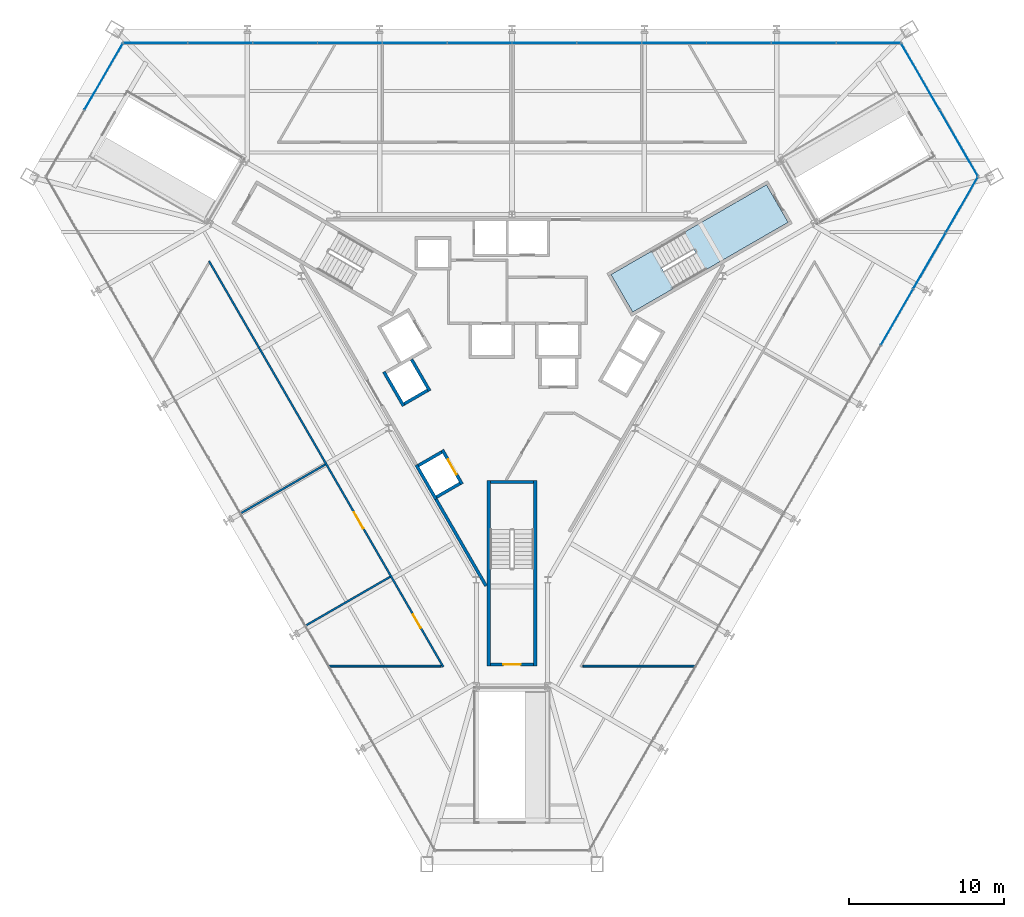
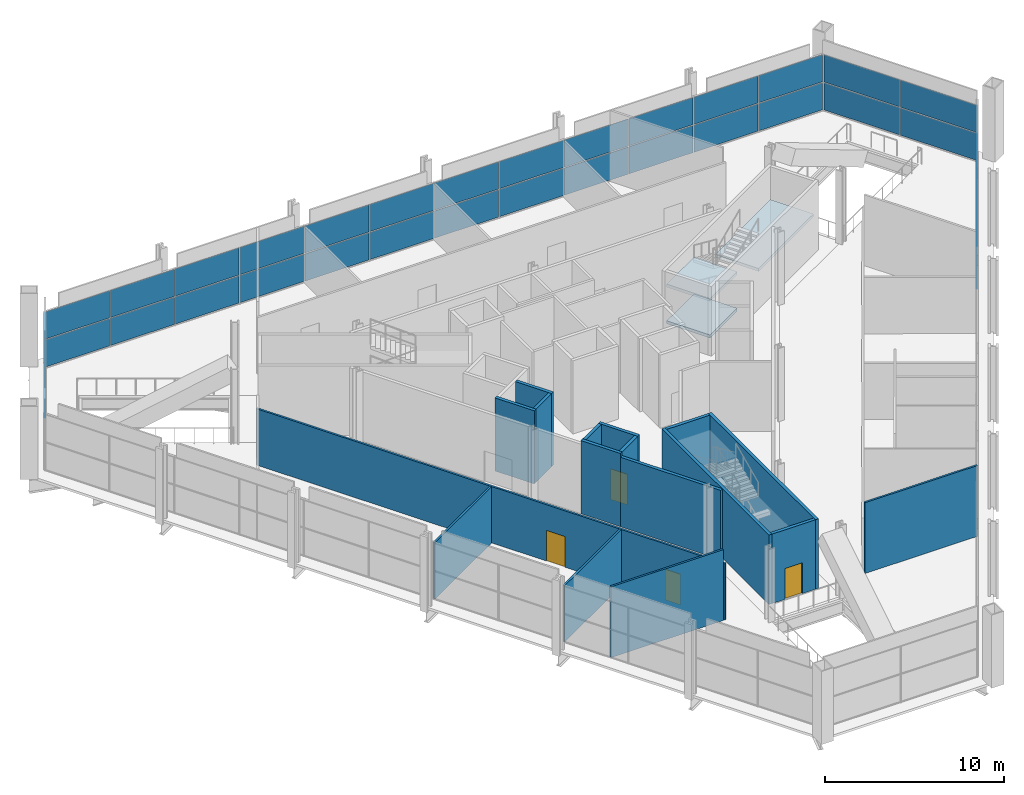
# One storey, part 12 of 20: 36 plates, 17 walls, 4 doors, 3 slabs, 4 openings, 5 elements without a shape of their own.
"""IFC4 building model written with IfcOpenShell, lengths in metres."""

from ifc_helpers import new_model, si_unit, direction, frame, frame_2d, origin, origin_2d, place, context, subcontext, project, spatial, polyline, rectangle, outline, extrude, material, layer, layer_set, type_object, element, fill, aggregate, save


model = new_model("IFC4")

# Units and contexts
model_context = context("Model", 3, precision=1e-05, world=origin(), true_north=direction((0.0, 1.0)))
body_context = subcontext(model_context, "Body", "Model", "MODEL_VIEW")
ifc_project = project(units=[si_unit("LENGTHUNIT", "METRE"), si_unit("AREAUNIT", "SQUARE_METRE"), si_unit("VOLUMEUNIT", "CUBIC_METRE"), si_unit("PLANEANGLEUNIT", "RADIAN"), si_unit("MASSUNIT", "GRAM", prefix="KILO")], contexts=[model_context])

# Site, building, storey
site_placement = place(None, origin())
site = spatial("IfcSite", under=ifc_project, at=site_placement, CompositionType="ELEMENT")
building_placement = place(site_placement, origin())
building = spatial("IfcBuilding", under=site, at=building_placement, Name="Verrane Prism Tower", CompositionType="ELEMENT")
storey_placement = place(building_placement, frame((0.0, 0.0, 17.39990234375)))
storey = spatial("IfcBuildingStorey", under=building, at=storey_placement, Name="L02", CompositionType="ELEMENT", Elevation=17.39990234375)

# Curtain wall, plates
ifc_material_1 = material(Name="Aluminium and glass curtain wall", Category="aluminium")
ifc_layer_1 = layer(ifc_material_1, 0.199951171875)
ifc_layer_set_1 = layer_set([ifc_layer_1], Name="CWB-1 retail curtain wall")
curtain_wall_type = type_object("IfcCurtainWallType", Name="CWB-1 retail curtain wall", PredefinedType="NOTDEFINED", material=ifc_layer_set_1)
curtain_wall_1_placement = place(storey_placement, origin())
curtain_wall_1 = element("IfcCurtainWall", 1, at=curtain_wall_1_placement, inside=storey, type_object=curtain_wall_type, Name="Retail curtain wall L02 1", PredefinedType="NOTDEFINED")
ifc_material_2 = material(Name="Glass double glazed low-e", Category="glass")
ifc_layer_2 = layer(ifc_material_2, 0.028076171875)
ifc_layer_set_2 = layer_set([ifc_layer_2], Name="CWB-P 28 mm low-e glass panel")
plate_type = type_object("IfcPlateType", Name="CWB-P 28 mm low-e glass panel", PredefinedType="CURTAIN_PANEL", material=ifc_layer_set_2)
plate_1_placement = place(storey_placement, frame((28.875732421875, 13.813232421875, 0.06005859375), z_axis=(0.0, 0.0, 1.0), x_axis=(-0.499999190758, 0.866025871, 0.0)))
plate_1 = element("IfcPlate", 2, at=plate_1_placement, type_object=plate_type, Name="CWB21 panel 1.1", PredefinedType="CURTAIN_PANEL", context=body_context, shape_type="SweptSolid", body=[
    extrude(rectangle(XDim=4.890380859375, YDim=0.028076171875, at=origin_2d()), origin(), (0.0, 0.0, 1.0), 1.85498046875),
])
plate_2_placement = place(storey_placement, frame((28.875732421875, 13.813232421875, 1.97509765625), z_axis=(0.0, 0.0, 1.0), x_axis=(-0.499999190758, 0.866025871, 0.0)))
plate_2 = element("IfcPlate", 3, at=plate_2_placement, type_object=plate_type, Name="CWB21 panel 1.2", PredefinedType="CURTAIN_PANEL", context=body_context, shape_type="SweptSolid", body=[
    extrude(rectangle(XDim=4.890380859375, YDim=0.028076171875, at=origin_2d()), origin(), (0.0, 0.0, 1.0), 1.85498046875),
])
plate_3_placement = place(storey_placement, frame((26.400390625, 18.100341796875, 0.06005859375), z_axis=(0.0, 0.0, 1.0), x_axis=(-0.499999190758, 0.866025871, 0.0)))
plate_3 = element("IfcPlate", 4, at=plate_3_placement, type_object=plate_type, Name="CWB21 panel 2.1", PredefinedType="CURTAIN_PANEL", context=body_context, shape_type="SweptSolid", body=[
    extrude(rectangle(XDim=4.890380859375, YDim=0.028076171875, at=origin_2d()), origin(), (0.0, 0.0, 1.0), 1.85498046875),
])
plate_4_placement = place(storey_placement, frame((26.400390625, 18.100341796875, 1.97509765625), z_axis=(0.0, 0.0, 1.0), x_axis=(-0.499999190758, 0.866025871, 0.0)))
plate_4 = element("IfcPlate", 5, at=plate_4_placement, type_object=plate_type, Name="CWB21 panel 2.2", PredefinedType="CURTAIN_PANEL", context=body_context, shape_type="SweptSolid", body=[
    extrude(rectangle(XDim=4.890380859375, YDim=0.028076171875, at=origin_2d()), origin(), (0.0, 0.0, 1.0), 1.85498046875),
])
aggregate(curtain_wall_1, [plate_1, plate_2, plate_3, plate_4])

curtain_wall_2_placement = place(storey_placement, origin())
curtain_wall_2 = element("IfcCurtainWall", 6, at=curtain_wall_2_placement, inside=storey, type_object=curtain_wall_type, Name="Retail curtain wall L02 2", PredefinedType="NOTDEFINED")
plate_5_placement = place(storey_placement, frame((23.037109375, 20.27001953125, 0.06005859375), z_axis=(0.0, 0.0, 1.0), x_axis=(-1.0, 0.0, 0.0)))
plate_5 = element("IfcPlate", 7, at=plate_5_placement, type_object=plate_type, Name="CWB22 panel 1.1", PredefinedType="CURTAIN_PANEL", context=body_context, shape_type="SweptSolid", body=[
    extrude(rectangle(XDim=4.101318359375, YDim=0.028076171875, at=origin_2d()), origin(), (0.0, 0.0, 1.0), 1.85498046875),
])
plate_6_placement = place(storey_placement, frame((23.037109375, 20.27001953125, 1.97509765625), z_axis=(0.0, 0.0, 1.0), x_axis=(-1.0, 0.0, 0.0)))
plate_6 = element("IfcPlate", 8, at=plate_6_placement, type_object=plate_type, Name="CWB22 panel 1.2", PredefinedType="CURTAIN_PANEL", context=body_context, shape_type="SweptSolid", body=[
    extrude(rectangle(XDim=4.101318359375, YDim=0.028076171875, at=origin_2d()), origin(), (0.0, 0.0, 1.0), 1.85498046875),
])
plate_7_placement = place(storey_placement, frame((18.86083984375, 20.27001953125, 0.06005859375), z_axis=(0.0, 0.0, 1.0), x_axis=(-1.0, 0.0, 0.0)))
plate_7 = element("IfcPlate", 9, at=plate_7_placement, type_object=plate_type, Name="CWB22 panel 2.1", PredefinedType="CURTAIN_PANEL", context=body_context, shape_type="SweptSolid", body=[
    extrude(rectangle(XDim=4.13134765625, YDim=0.028076171875, at=origin_2d()), origin(), (0.0, 0.0, 1.0), 1.85498046875),
])
plate_8_placement = place(storey_placement, frame((18.86083984375, 20.27001953125, 1.97509765625), z_axis=(0.0, 0.0, 1.0), x_axis=(-1.0, 0.0, 0.0)))
plate_8 = element("IfcPlate", 10, at=plate_8_placement, type_object=plate_type, Name="CWB22 panel 2.2", PredefinedType="CURTAIN_PANEL", context=body_context, shape_type="SweptSolid", body=[
    extrude(rectangle(XDim=4.13134765625, YDim=0.028076171875, at=origin_2d()), origin(), (0.0, 0.0, 1.0), 1.85498046875),
])
plate_9_placement = place(storey_placement, frame((14.669677734375, 20.27001953125, 0.06005859375), z_axis=(0.0, 0.0, 1.0), x_axis=(-1.0, 0.0, 0.0)))
plate_9 = element("IfcPlate", 11, at=plate_9_placement, type_object=plate_type, Name="CWB22 panel 3.1", PredefinedType="CURTAIN_PANEL", context=body_context, shape_type="SweptSolid", body=[
    extrude(rectangle(XDim=4.13134765625, YDim=0.028076171875, at=origin_2d()), origin(), (0.0, 0.0, 1.0), 1.85498046875),
])
plate_10_placement = place(storey_placement, frame((14.669677734375, 20.27001953125, 1.97509765625), z_axis=(0.0, 0.0, 1.0), x_axis=(-1.0, 0.0, 0.0)))
plate_10 = element("IfcPlate", 12, at=plate_10_placement, type_object=plate_type, Name="CWB22 panel 3.2", PredefinedType="CURTAIN_PANEL", context=body_context, shape_type="SweptSolid", body=[
    extrude(rectangle(XDim=4.13134765625, YDim=0.028076171875, at=origin_2d()), origin(), (0.0, 0.0, 1.0), 1.85498046875),
])
plate_11_placement = place(storey_placement, frame((10.478271484375, 20.27001953125, 0.06005859375), z_axis=(0.0, 0.0, 1.0), x_axis=(-1.0, 0.0, 0.0)))
plate_11 = element("IfcPlate", 13, at=plate_11_placement, type_object=plate_type, Name="CWB22 panel 4.1", PredefinedType="CURTAIN_PANEL", context=body_context, shape_type="SweptSolid", body=[
    extrude(rectangle(XDim=4.13134765625, YDim=0.028076171875, at=origin_2d()), origin(), (0.0, 0.0, 1.0), 1.85498046875),
])
plate_12_placement = place(storey_placement, frame((10.478271484375, 20.27001953125, 1.97509765625), z_axis=(0.0, 0.0, 1.0), x_axis=(-1.0, 0.0, 0.0)))
plate_12 = element("IfcPlate", 14, at=plate_12_placement, type_object=plate_type, Name="CWB22 panel 4.2", PredefinedType="CURTAIN_PANEL", context=body_context, shape_type="SweptSolid", body=[
    extrude(rectangle(XDim=4.13134765625, YDim=0.028076171875, at=origin_2d()), origin(), (0.0, 0.0, 1.0), 1.85498046875),
])
plate_13_placement = place(storey_placement, frame((6.286865234375, 20.27001953125, 0.06005859375), z_axis=(0.0, 0.0, 1.0), x_axis=(-1.0, 0.0, 0.0)))
plate_13 = element("IfcPlate", 15, at=plate_13_placement, type_object=plate_type, Name="CWB22 panel 5.1", PredefinedType="CURTAIN_PANEL", context=body_context, shape_type="SweptSolid", body=[
    extrude(rectangle(XDim=4.13134765625, YDim=0.028076171875, at=origin_2d()), origin(), (0.0, 0.0, 1.0), 1.85498046875),
])
plate_14_placement = place(storey_placement, frame((6.286865234375, 20.27001953125, 1.97509765625), z_axis=(0.0, 0.0, 1.0), x_axis=(-1.0, 0.0, 0.0)))
plate_14 = element("IfcPlate", 16, at=plate_14_placement, type_object=plate_type, Name="CWB22 panel 5.2", PredefinedType="CURTAIN_PANEL", context=body_context, shape_type="SweptSolid", body=[
    extrude(rectangle(XDim=4.13134765625, YDim=0.028076171875, at=origin_2d()), origin(), (0.0, 0.0, 1.0), 1.85498046875),
])
plate_15_placement = place(storey_placement, frame((2.095703125, 20.27001953125, 0.06005859375), z_axis=(0.0, 0.0, 1.0), x_axis=(-1.0, 0.0, 0.0)))
plate_15 = element("IfcPlate", 17, at=plate_15_placement, type_object=plate_type, Name="CWB22 panel 6.1", PredefinedType="CURTAIN_PANEL", context=body_context, shape_type="SweptSolid", body=[
    extrude(rectangle(XDim=4.13134765625, YDim=0.028076171875, at=origin_2d()), origin(), (0.0, 0.0, 1.0), 1.85498046875),
])
plate_16_placement = place(storey_placement, frame((2.095703125, 20.27001953125, 1.97509765625), z_axis=(0.0, 0.0, 1.0), x_axis=(-1.0, 0.0, 0.0)))
plate_16 = element("IfcPlate", 18, at=plate_16_placement, type_object=plate_type, Name="CWB22 panel 6.2", PredefinedType="CURTAIN_PANEL", context=body_context, shape_type="SweptSolid", body=[
    extrude(rectangle(XDim=4.13134765625, YDim=0.028076171875, at=origin_2d()), origin(), (0.0, 0.0, 1.0), 1.85498046875),
])
plate_17_placement = place(storey_placement, frame((-2.095703125, 20.27001953125, 0.06005859375), z_axis=(0.0, 0.0, 1.0), x_axis=(-1.0, 0.0, 0.0)))
plate_17 = element("IfcPlate", 19, at=plate_17_placement, type_object=plate_type, Name="CWB22 panel 7.1", PredefinedType="CURTAIN_PANEL", context=body_context, shape_type="SweptSolid", body=[
    extrude(rectangle(XDim=4.13134765625, YDim=0.028076171875, at=origin_2d()), origin(), (0.0, 0.0, 1.0), 1.85498046875),
])
plate_18_placement = place(storey_placement, frame((-2.095703125, 20.27001953125, 1.97509765625), z_axis=(0.0, 0.0, 1.0), x_axis=(-1.0, 0.0, 0.0)))
plate_18 = element("IfcPlate", 20, at=plate_18_placement, type_object=plate_type, Name="CWB22 panel 7.2", PredefinedType="CURTAIN_PANEL", context=body_context, shape_type="SweptSolid", body=[
    extrude(rectangle(XDim=4.13134765625, YDim=0.028076171875, at=origin_2d()), origin(), (0.0, 0.0, 1.0), 1.85498046875),
])
plate_19_placement = place(storey_placement, frame((-6.286865234375, 20.27001953125, 0.06005859375), z_axis=(0.0, 0.0, 1.0), x_axis=(-1.0, 0.0, 0.0)))
plate_19 = element("IfcPlate", 21, at=plate_19_placement, type_object=plate_type, Name="CWB22 panel 8.1", PredefinedType="CURTAIN_PANEL", context=body_context, shape_type="SweptSolid", body=[
    extrude(rectangle(XDim=4.13134765625, YDim=0.028076171875, at=origin_2d()), origin(), (0.0, 0.0, 1.0), 1.85498046875),
])
plate_20_placement = place(storey_placement, frame((-6.286865234375, 20.27001953125, 1.97509765625), z_axis=(0.0, 0.0, 1.0), x_axis=(-1.0, 0.0, 0.0)))
plate_20 = element("IfcPlate", 22, at=plate_20_placement, type_object=plate_type, Name="CWB22 panel 8.2", PredefinedType="CURTAIN_PANEL", context=body_context, shape_type="SweptSolid", body=[
    extrude(rectangle(XDim=4.13134765625, YDim=0.028076171875, at=origin_2d()), origin(), (0.0, 0.0, 1.0), 1.85498046875),
])
plate_21_placement = place(storey_placement, frame((-10.478271484375, 20.27001953125, 0.06005859375), z_axis=(0.0, 0.0, 1.0), x_axis=(-1.0, 0.0, 0.0)))
plate_21 = element("IfcPlate", 23, at=plate_21_placement, type_object=plate_type, Name="CWB22 panel 9.1", PredefinedType="CURTAIN_PANEL", context=body_context, shape_type="SweptSolid", body=[
    extrude(rectangle(XDim=4.13134765625, YDim=0.028076171875, at=origin_2d()), origin(), (0.0, 0.0, 1.0), 1.85498046875),
])
plate_22_placement = place(storey_placement, frame((-10.478271484375, 20.27001953125, 1.97509765625), z_axis=(0.0, 0.0, 1.0), x_axis=(-1.0, 0.0, 0.0)))
plate_22 = element("IfcPlate", 24, at=plate_22_placement, type_object=plate_type, Name="CWB22 panel 9.2", PredefinedType="CURTAIN_PANEL", context=body_context, shape_type="SweptSolid", body=[
    extrude(rectangle(XDim=4.13134765625, YDim=0.028076171875, at=origin_2d()), origin(), (0.0, 0.0, 1.0), 1.85498046875),
])
plate_23_placement = place(storey_placement, frame((-14.669677734375, 20.27001953125, 0.06005859375), z_axis=(0.0, 0.0, 1.0), x_axis=(-1.0, 0.0, 0.0)))
plate_23 = element("IfcPlate", 25, at=plate_23_placement, type_object=plate_type, Name="CWB22 panel 10.1", PredefinedType="CURTAIN_PANEL", context=body_context, shape_type="SweptSolid", body=[
    extrude(rectangle(XDim=4.13134765625, YDim=0.028076171875, at=origin_2d()), origin(), (0.0, 0.0, 1.0), 1.85498046875),
])
plate_24_placement = place(storey_placement, frame((-14.669677734375, 20.27001953125, 1.97509765625), z_axis=(0.0, 0.0, 1.0), x_axis=(-1.0, 0.0, 0.0)))
plate_24 = element("IfcPlate", 26, at=plate_24_placement, type_object=plate_type, Name="CWB22 panel 10.2", PredefinedType="CURTAIN_PANEL", context=body_context, shape_type="SweptSolid", body=[
    extrude(rectangle(XDim=4.13134765625, YDim=0.028076171875, at=origin_2d()), origin(), (0.0, 0.0, 1.0), 1.85498046875),
])
plate_25_placement = place(storey_placement, frame((-18.86083984375, 20.27001953125, 0.06005859375), z_axis=(0.0, 0.0, 1.0), x_axis=(-1.0, 0.0, 0.0)))
plate_25 = element("IfcPlate", 27, at=plate_25_placement, type_object=plate_type, Name="CWB22 panel 11.1", PredefinedType="CURTAIN_PANEL", context=body_context, shape_type="SweptSolid", body=[
    extrude(rectangle(XDim=4.13134765625, YDim=0.028076171875, at=origin_2d()), origin(), (0.0, 0.0, 1.0), 1.85498046875),
])
plate_26_placement = place(storey_placement, frame((-18.86083984375, 20.27001953125, 1.97509765625), z_axis=(0.0, 0.0, 1.0), x_axis=(-1.0, 0.0, 0.0)))
plate_26 = element("IfcPlate", 28, at=plate_26_placement, type_object=plate_type, Name="CWB22 panel 11.2", PredefinedType="CURTAIN_PANEL", context=body_context, shape_type="SweptSolid", body=[
    extrude(rectangle(XDim=4.13134765625, YDim=0.028076171875, at=origin_2d()), origin(), (0.0, 0.0, 1.0), 1.85498046875),
])
plate_27_placement = place(storey_placement, frame((-23.037109375, 20.27001953125, 0.06005859375), z_axis=(0.0, 0.0, 1.0), x_axis=(-1.0, 0.0, 0.0)))
plate_27 = element("IfcPlate", 29, at=plate_27_placement, type_object=plate_type, Name="CWB22 panel 12.1", PredefinedType="CURTAIN_PANEL", context=body_context, shape_type="SweptSolid", body=[
    extrude(rectangle(XDim=4.101318359375, YDim=0.028076171875, at=origin_2d()), origin(), (0.0, 0.0, 1.0), 1.85498046875),
])
plate_28_placement = place(storey_placement, frame((-23.037109375, 20.27001953125, 1.97509765625), z_axis=(0.0, 0.0, 1.0), x_axis=(-1.0, 0.0, 0.0)))
plate_28 = element("IfcPlate", 30, at=plate_28_placement, type_object=plate_type, Name="CWB22 panel 12.2", PredefinedType="CURTAIN_PANEL", context=body_context, shape_type="SweptSolid", body=[
    extrude(rectangle(XDim=4.101318359375, YDim=0.028076171875, at=origin_2d()), origin(), (0.0, 0.0, 1.0), 1.85498046875),
])
aggregate(curtain_wall_2, [plate_5, plate_6, plate_7, plate_8, plate_9, plate_10, plate_11, plate_12, plate_13, plate_14, plate_15, plate_16, plate_17, plate_18, plate_19, plate_20, plate_21, plate_22, plate_23, plate_24, plate_25, plate_26, plate_27, plate_28])

curtain_wall_3_placement = place(storey_placement, origin())
curtain_wall_3 = element("IfcCurtainWall", 31, at=curtain_wall_3_placement, inside=storey, type_object=curtain_wall_type, Name="Retail curtain wall L02 3", PredefinedType="NOTDEFINED")
plate_29_placement = place(storey_placement, frame((-26.400390625, 18.100341796875, 0.06005859375), z_axis=(0.0, 0.0, 1.0), x_axis=(-0.499999190758, -0.866025871, 0.0)))
plate_29 = element("IfcPlate", 32, at=plate_29_placement, type_object=plate_type, Name="CWB23 panel 1.1", PredefinedType="CURTAIN_PANEL", context=body_context, shape_type="SweptSolid", body=[
    extrude(rectangle(XDim=4.890380859375, YDim=0.028076171875, at=origin_2d()), origin(), (0.0, 0.0, 1.0), 1.85498046875),
])
plate_30_placement = place(storey_placement, frame((-26.400390625, 18.100341796875, 1.97509765625), z_axis=(0.0, 0.0, 1.0), x_axis=(-0.499999190758, -0.866025871, 0.0)))
plate_30 = element("IfcPlate", 33, at=plate_30_placement, type_object=plate_type, Name="CWB23 panel 1.2", PredefinedType="CURTAIN_PANEL", context=body_context, shape_type="SweptSolid", body=[
    extrude(rectangle(XDim=4.890380859375, YDim=0.028076171875, at=origin_2d()), origin(), (0.0, 0.0, 1.0), 1.85498046875),
])
aggregate(curtain_wall_3, [plate_29, plate_30])

curtain_wall_4_placement = place(storey_placement, origin())
curtain_wall_4 = element("IfcCurtainWall", 34, at=curtain_wall_4_placement, inside=storey, type_object=curtain_wall_type, Name="Retail curtain wall L02 6", PredefinedType="NOTDEFINED")
plate_31_placement = place(storey_placement, frame((24.88916015625, 2.5693359375, 0.06005859375), z_axis=(0.0, 0.0, 1.0), x_axis=(0.50000011897, 0.866025335097, 0.0)))
plate_31 = element("IfcPlate", 35, at=plate_31_placement, type_object=plate_type, Name="CWB26 panel 10.1", PredefinedType="CURTAIN_PANEL", context=body_context, shape_type="SweptSolid", body=[
    extrude(rectangle(XDim=4.13134765625, YDim=0.028076171875, at=origin_2d()), origin(), (0.0, 0.0, 1.0), 1.85498046875),
])
plate_32_placement = place(storey_placement, frame((24.88916015625, 2.5693359375, 1.97509765625), z_axis=(0.0, 0.0, 1.0), x_axis=(0.50000011897, 0.866025335097, 0.0)))
plate_32 = element("IfcPlate", 36, at=plate_32_placement, type_object=plate_type, Name="CWB26 panel 10.2", PredefinedType="CURTAIN_PANEL", context=body_context, shape_type="SweptSolid", body=[
    extrude(rectangle(XDim=4.13134765625, YDim=0.028076171875, at=origin_2d()), origin(), (0.0, 0.0, 1.0), 1.85498046875),
])
plate_33_placement = place(storey_placement, frame((26.98486328125, 6.198974609375, 0.06005859375), z_axis=(0.0, 0.0, 1.0), x_axis=(0.50000011897, 0.866025335097, 0.0)))
plate_33 = element("IfcPlate", 37, at=plate_33_placement, type_object=plate_type, Name="CWB26 panel 11.1", PredefinedType="CURTAIN_PANEL", context=body_context, shape_type="SweptSolid", body=[
    extrude(rectangle(XDim=4.13134765625, YDim=0.028076171875, at=origin_2d()), origin(), (0.0, 0.0, 1.0), 1.85498046875),
])
plate_34_placement = place(storey_placement, frame((26.98486328125, 6.198974609375, 1.97509765625), z_axis=(0.0, 0.0, 1.0), x_axis=(0.50000011897, 0.866025335097, 0.0)))
plate_34 = element("IfcPlate", 38, at=plate_34_placement, type_object=plate_type, Name="CWB26 panel 11.2", PredefinedType="CURTAIN_PANEL", context=body_context, shape_type="SweptSolid", body=[
    extrude(rectangle(XDim=4.13134765625, YDim=0.028076171875, at=origin_2d()), origin(), (0.0, 0.0, 1.0), 1.85498046875),
])
plate_35_placement = place(storey_placement, frame((29.072998046875, 9.81591796875, 0.06005859375), z_axis=(0.0, 0.0, 1.0), x_axis=(0.50000011897, 0.866025335097, 0.0)))
plate_35 = element("IfcPlate", 39, at=plate_35_placement, type_object=plate_type, Name="CWB26 panel 12.1", PredefinedType="CURTAIN_PANEL", context=body_context, shape_type="SweptSolid", body=[
    extrude(rectangle(XDim=4.101318359375, YDim=0.028076171875, at=origin_2d()), origin(), (0.0, 0.0, 1.0), 1.85498046875),
])
plate_36_placement = place(storey_placement, frame((29.072998046875, 9.81591796875, 1.97509765625), z_axis=(0.0, 0.0, 1.0), x_axis=(0.50000011897, 0.866025335097, 0.0)))
plate_36 = element("IfcPlate", 40, at=plate_36_placement, type_object=plate_type, Name="CWB26 panel 12.2", PredefinedType="CURTAIN_PANEL", context=body_context, shape_type="SweptSolid", body=[
    extrude(rectangle(XDim=4.101318359375, YDim=0.028076171875, at=origin_2d()), origin(), (0.0, 0.0, 1.0), 1.85498046875),
])
aggregate(curtain_wall_4, [plate_31, plate_32, plate_33, plate_34, plate_35, plate_36])

# Stair, slabs
ifc_material_3 = material(Name="Concrete C40/50", Category="concrete")
stair_type = type_object("IfcStairType", Name="Exit stair 1300 dog-leg precast concrete C40/50", PredefinedType="HALF_TURN_STAIR", material=ifc_material_3)
stair_placement = place(storey_placement, origin())
stair = element("IfcStair", 41, at=stair_placement, inside=storey, type_object=stair_type, Name="Stair 1 L02", PredefinedType="HALF_TURN_STAIR")
ifc_material_4 = material(Name="Concrete C40/50", Category="concrete")
ifc_layer_3 = layer(ifc_material_4, 0.199951171875)
ifc_layer_set_3 = layer_set([ifc_layer_3], Name="Stair landing 200 precast concrete C40/50")
slab_type = type_object("IfcSlabType", Name="Stair landing 200 precast concrete C40/50", PredefinedType="LANDING", material=ifc_layer_set_3)
slab_1_placement = place(storey_placement, frame((0.0, 0.0, 1.050048828125)))
slab_1 = element("IfcSlab", 42, at=slab_1_placement, type_object=slab_type, Name="Stair 1 landing 1", PredefinedType="LANDING", context=body_context, shape_type="SweptSolid", body=[
    extrude(outline(polyline([(9.0341796875, 6.83251953125), (6.4013671875, 5.3125), (7.801513671875, 2.887451171875), (10.43408203125, 4.407470703125), (9.0341796875, 6.83251953125)])), origin(), (0.0, 0.0, 1.0), 0.199951171875),
])
slab_2_placement = place(storey_placement, frame((0.0, 0.0, 2.300048828125)))
slab_2 = element("IfcSlab", 43, at=slab_2_placement, type_object=slab_type, Name="Stair 1 landing 2", PredefinedType="LANDING", context=body_context, shape_type="SweptSolid", body=[
    extrude(outline(polyline([(16.447265625, 11.112548828125), (11.112548828125, 8.032470703125), (12.5126953125, 5.607666015625), (17.847412109375, 8.6875), (16.447265625, 11.112548828125)])), origin(), (0.0, 0.0, 1.0), 0.199951171875),
])
slab_3_placement = place(storey_placement, frame((0.0, 0.0, 3.550048828125)))
slab_3 = element("IfcSlab", 44, at=slab_3_placement, type_object=slab_type, Name="Stair 1 landing 3", PredefinedType="LANDING", context=body_context, shape_type="SweptSolid", body=[
    extrude(outline(polyline([(9.0341796875, 6.83251953125), (6.4013671875, 5.3125), (7.801513671875, 2.887451171875), (10.43408203125, 4.407470703125), (9.0341796875, 6.83251953125)])), origin(), (0.0, 0.0, 1.0), 0.199951171875),
])
aggregate(stair, [slab_1, slab_2, slab_3])

# Walls
ifc_material_5 = material(Name="Gypsum board partition", Category="other")
ifc_layer_4 = layer(ifc_material_5, 0.125)
ifc_layer_set_4 = layer_set([ifc_layer_4], Name="BW-125 demising wall 1 h")
wall_type_1 = type_object("IfcWallType", Name="BW-125 demising wall 1 h", PredefinedType="PARTITIONING", material=ifc_layer_set_4)
for number, where, z_axis, x_axis, name in (
    (45, (-17.553955078125, -10.135009765625, 0.0), (0.0, 0.0, 1.0), (0.866003371142, 0.500038159714, 0.0), "Demising wall 003"),
    (46, (-13.363037109375, -17.39501953125, 0.0), (0.0, 0.0, 1.0), (0.866003371142, 0.500038159714, 0.0), "Demising wall 006"),
):
    element("IfcWall", number, at=place(storey_placement, frame(where, z_axis=z_axis, x_axis=x_axis)), inside=storey, type_object=wall_type_1, Name=name, PredefinedType="PARTITIONING", context=body_context, shape_type="SweptSolid", body=[
        extrude(rectangle(XDim=6.3369140625, YDim=0.125, at=frame_2d((3.16845703125, 0.0))), origin(), (0.0, 0.0, 1.0), 3.85302734375),
    ])

# Wall, openings, doors
ifc_material_6 = material(Name="Gypsum board partition", Category="other")
ifc_layer_5 = layer(ifc_material_6, 0.125)
ifc_layer_set_5 = layer_set([ifc_layer_5], Name="BW-125 shopfront wall 1 h")
wall_type_2 = type_object("IfcWallType", Name="BW-125 shopfront wall 1 h", PredefinedType="PARTITIONING", material=ifc_layer_set_5)
wall_1_placement = place(storey_placement, frame((-4.437744140625, -20.05419921875, 0.0), z_axis=(0.0, 0.0, 1.0), x_axis=(-0.499994028088, 0.866028851642, 0.0)))
wall_1 = element("IfcWall", 47, at=wall_1_placement, inside=storey, type_object=wall_type_2, Name="Shopfront wall 002", PredefinedType="PARTITIONING", context=body_context, shape_type="SweptSolid", body=[
    extrude(rectangle(XDim=30.297119140625, YDim=0.125, at=frame_2d((15.1484375, 0.0))), origin(), (0.0, 0.0, 1.0), 3.85302734375),
])
opening_1_placement = place(wall_1_placement, frame((10.3486328125, 0.0, 0.0)))
opening_1 = element("IfcOpeningElement", 48, at=opening_1_placement, cuts=wall_1, Name="Opening D02006", PredefinedType="OPENING", context=body_context, shape_type="SweptSolid", body=[
    extrude(rectangle(XDim=1.199951171875, YDim=2.10009765625, at=frame_2d((0.60009765625, 1.050048828125))), frame((0.0, 0.072509765625, 0.0), z_axis=(0.0, -1.0, 0.0), x_axis=(1.0, 0.0, 0.0)), (0.0, 0.0, 1.0), 0.14501953125),
])
opening_2_placement = place(wall_1_placement, frame((2.915771484375, 0.0, 0.0)))
opening_2 = element("IfcOpeningElement", 49, at=opening_2_placement, cuts=wall_1, Name="Opening D02007", PredefinedType="OPENING", context=body_context, shape_type="SweptSolid", body=[
    extrude(rectangle(XDim=1.0, YDim=2.10009765625, at=frame_2d((0.5, 1.050048828125))), frame((0.0, 0.072509765625, 0.0), z_axis=(0.0, -1.0, 0.0), x_axis=(1.0, 0.0, 0.0)), (0.0, 0.0, 1.0), 0.14501953125),
])
ifc_material_7 = material(Name="Timber veneered door leaf", Category="wood")
door_type_1 = type_object("IfcDoorType", Name="DR-1000x2100 FD20 single leaf shopfront", OperationType="NOTDEFINED", PredefinedType="DOOR", material=ifc_material_7)
door_1_placement = place(opening_2_placement, origin())
door_1 = element("IfcDoor", 50, at=door_1_placement, inside=storey, type_object=door_type_1, Name="Door Store Room 0207", OperationType="SINGLE_SWING_RIGHT", OverallHeight=2.10009765625, OverallWidth=1.0, PredefinedType="DOOR", context=body_context, shape_type="SweptSolid", body=[
    extrude(rectangle(XDim=1.0, YDim=2.10009765625, at=frame_2d((0.5, 1.050048828125))), frame((0.0, 0.02490234375, 0.0), z_axis=(0.0, -1.0, 0.0), x_axis=(1.0, 0.0, 0.0)), (0.0, 0.0, 1.0), 0.050048828125),
])
fill(opening_2, door_1)
ifc_material_8 = material(Name="Timber veneered door leaf", Category="wood")
door_type_2 = type_object("IfcDoorType", Name="DR-1200x2100 FD20 single leaf shopfront", OperationType="NOTDEFINED", PredefinedType="DOOR", material=ifc_material_8)
door_2_placement = place(opening_1_placement, origin())
door_2 = element("IfcDoor", 51, at=door_2_placement, inside=storey, type_object=door_type_2, Name="Door Shop 0206", OperationType="SINGLE_SWING_LEFT", OverallHeight=2.10009765625, OverallWidth=1.199951171875, PredefinedType="DOOR", context=body_context, shape_type="SweptSolid", body=[
    extrude(rectangle(XDim=1.199951171875, YDim=2.10009765625, at=frame_2d((0.60009765625, 1.050048828125))), frame((0.0, 0.02490234375, 0.0), z_axis=(0.0, -1.0, 0.0), x_axis=(1.0, 0.0, 0.0)), (0.0, 0.0, 1.0), 0.050048828125),
])
fill(opening_1, door_2)

# Walls
for number, where, z_axis, x_axis, name in (
    (52, (-11.85888671875, -20.0, 0.0), (0.0, 0.0, 1.0), (1.0, 0.0, 0.0), "Shopfront wall 007"),
    (53, (4.573974609375, -20.0, 0.0), (0.0, 0.0, 1.0), (1.0, 0.0, 0.0), "Shopfront wall 010"),
):
    element("IfcWall", number, at=place(storey_placement, frame(where, z_axis=z_axis, x_axis=x_axis)), inside=storey, type_object=wall_type_2, Name=name, PredefinedType="PARTITIONING", context=body_context, shape_type="SweptSolid", body=[
        extrude(rectangle(XDim=7.284912109375, YDim=0.125, at=frame_2d((3.642578125, 0.0))), origin(), (0.0, 0.0, 1.0), 4.840087890625),
    ])
ifc_material_9 = material(Name="Gypsum board partition", Category="other")
ifc_layer_6 = layer(ifc_material_9, 0.199951171875)
ifc_layer_set_6 = layer_set([ifc_layer_6], Name="CW-200 core boundary wall 2 h")
wall_type_3 = type_object("IfcWallType", Name="CW-200 core boundary wall 2 h", PredefinedType="PARTITIONING", material=ifc_layer_set_6)
wall_2_placement = place(storey_placement, frame((-4.9140625, -9.2080078125, 0.0), z_axis=(0.0, 0.0, 1.0), x_axis=(0.499947703927, -0.866055594831, 0.0)))
element("IfcWall", 54, at=wall_2_placement, inside=storey, type_object=wall_type_3, Name="Core boundary wall CW3-003", PredefinedType="PARTITIONING", context=body_context, shape_type="SweptSolid", body=[
    extrude(rectangle(XDim=6.473876953125, YDim=0.199951171875, at=frame_2d((3.23681640625, 0.0))), origin(), (0.0, 0.0, 1.0), 4.75),
])

# Wall, opening, door
ifc_material_10 = material(Name="Concrete C40/50", Category="concrete")
ifc_layer_7 = layer(ifc_material_10, 0.199951171875)
ifc_layer_set_7 = layer_set([ifc_layer_7], Name="CW-200 stair core wall concrete C40/50 3 h")
wall_type_4 = type_object("IfcWallType", Name="CW-200 stair core wall concrete C40/50 3 h", PredefinedType="PARTITIONING", material=ifc_layer_set_7)
wall_3_placement = place(storey_placement, frame((-1.39990234375, -19.89990234375, 0.0), z_axis=(0.0, 0.0, 1.0), x_axis=(1.0, 0.0, 0.0)))
wall_3 = element("IfcWall", 55, at=wall_3_placement, inside=storey, type_object=wall_type_4, Name="Stair 3 enclosure wall", PredefinedType="PARTITIONING", context=body_context, shape_type="SweptSolid", body=[
    extrude(rectangle(XDim=2.7998046875, YDim=0.199951171875, at=frame_2d((1.39990234375, 0.0))), origin(), (0.0, 0.0, 1.0), 4.75),
])
opening_3_placement = place(wall_3_placement, frame((0.85009765625, 0.0, 0.0)))
opening_3 = element("IfcOpeningElement", 56, at=opening_3_placement, cuts=wall_3, Name="Opening D02502", PredefinedType="OPENING", context=body_context, shape_type="SweptSolid", body=[
    extrude(rectangle(XDim=1.10009765625, YDim=2.10009765625, at=frame_2d((0.550048828125, 1.050048828125))), frame((0.0, 0.10986328125, 0.0), z_axis=(0.0, -1.0, 0.0), x_axis=(1.0, 0.0, 0.0)), (0.0, 0.0, 1.0), 0.219970703125),
])
ifc_material_11 = material(Name="Timber veneered door leaf", Category="wood")
door_type_3 = type_object("IfcDoorType", Name="DR-1100x2100 FD90 single leaf stair", OperationType="NOTDEFINED", PredefinedType="DOOR", material=ifc_material_11)
door_3_placement = place(opening_3_placement, origin())
door_3 = element("IfcDoor", 57, at=door_3_placement, inside=storey, type_object=door_type_3, Name="Stair 3 door", OperationType="SINGLE_SWING_LEFT", OverallHeight=2.10009765625, OverallWidth=1.10009765625, PredefinedType="DOOR", context=body_context, shape_type="SweptSolid", body=[
    extrude(rectangle(XDim=1.10009765625, YDim=2.10009765625, at=frame_2d((0.550048828125, 1.050048828125))), frame((0.0, 0.02490234375, 0.0), z_axis=(0.0, -1.0, 0.0), x_axis=(1.0, 0.0, 0.0)), (0.0, 0.0, 1.0), 0.050048828125),
])
fill(opening_3, door_3)

# Walls
for number, where, z_axis, x_axis, name in (
    (58, (1.5, -8.0, 0.0), (0.0, 0.0, 1.0), (0.0, -1.0, 0.0), "Stair 3 enclosure wall"),
    (59, (-1.5, -8.0, 0.0), (0.0, 0.0, 1.0), (0.0, -1.0, 0.0), "Stair 3 enclosure wall"),
):
    element("IfcWall", number, at=place(storey_placement, frame(where, z_axis=z_axis, x_axis=x_axis)), inside=storey, type_object=wall_type_4, Name=name, PredefinedType="PARTITIONING", context=body_context, shape_type="SweptSolid", body=[
        extrude(rectangle(XDim=12.0, YDim=0.199951171875, at=frame_2d((6.0, 0.0))), origin(), (0.0, 0.0, 1.0), 4.75),
    ])
wall_4_placement = place(storey_placement, frame((-1.39990234375, -8.10009765625, 0.0), z_axis=(0.0, 0.0, 1.0), x_axis=(1.0, 0.0, 0.0)))
element("IfcWall", 60, at=wall_4_placement, inside=storey, type_object=wall_type_4, Name="Stair 3 enclosure wall", PredefinedType="PARTITIONING", context=body_context, shape_type="SweptSolid", body=[
    extrude(rectangle(XDim=2.7998046875, YDim=0.199951171875, at=frame_2d((1.39990234375, 0.0))), origin(), (0.0, 0.0, 1.0), 4.75),
])
ifc_material_12 = material(Name="Gypsum board shaft wall assembly", Category="other")
ifc_layer_8 = layer(ifc_material_12, 0.199951171875)
ifc_layer_set_8 = layer_set([ifc_layer_8], Name="HW-200 lift shaft wall 2 h")
wall_type_5 = type_object("IfcWallType", Name="HW-200 lift shaft wall 2 h", PredefinedType="PARTITIONING", material=ifc_layer_set_8)
for number, where, z_axis, x_axis, name in (
    (61, (-4.87890625, -9.069580078125, 0.0), (0.0, 0.0, 1.0), (0.866036909293, 0.499980071345, 0.0), "Lift shaft wall"),
    (62, (-6.053955078125, -7.034423828125, 0.0), (0.0, 0.0, 1.0), (0.866036909293, 0.499980071345, 0.0), "Lift shaft wall"),
    (63, (-6.9697265625, -3.048095703125, 0.0), (0.0, 0.0, 1.0), (0.866036909293, 0.499980071345, 0.0), "Lift shaft wall"),
):
    element("IfcWall", number, at=place(storey_placement, frame(where, z_axis=z_axis, x_axis=x_axis)), inside=storey, type_object=wall_type_5, Name=name, PredefinedType="PARTITIONING", context=body_context, shape_type="SweptSolid", body=[
        extrude(rectangle(XDim=1.75, YDim=0.199951171875, at=frame_2d((0.875, 0.0))), origin(), (0.0, 0.0, 1.0), 5.0),
    ])
wall_5_placement = place(storey_placement, frame((-5.317626953125, -2.209716796875, 0.0), z_axis=(0.0, 0.0, 1.0), x_axis=(-0.499938297808, 0.866061024631, 0.0)))
element("IfcWall", 64, at=wall_5_placement, inside=storey, type_object=wall_type_5, Name="Lift shaft wall", PredefinedType="PARTITIONING", context=body_context, shape_type="SweptSolid", body=[
    extrude(rectangle(XDim=2.349853515625, YDim=0.199951171875, at=frame_2d((1.1748046875, 0.0))), origin(), (0.0, 0.0, 1.0), 5.0),
])

# Wall, opening, door
wall_6_placement = place(storey_placement, frame((-3.226806640625, -8.231201171875, 0.0), z_axis=(0.0, 0.0, 1.0), x_axis=(-0.499948979701, 0.866054858364, 0.0)))
wall_6 = element("IfcWall", 65, at=wall_6_placement, inside=storey, type_object=wall_type_5, Name="Lift shaft wall", PredefinedType="PARTITIONING", context=body_context, shape_type="SweptSolid", body=[
    extrude(rectangle(XDim=2.550048828125, YDim=0.199951171875, at=frame_2d((1.27490234375, 0.0))), origin(), (0.0, 0.0, 1.0), 5.0),
])
opening_4_placement = place(wall_6_placement, frame((0.72509765625, 0.0, 0.0)))
opening_4 = element("IfcOpeningElement", 66, at=opening_4_placement, cuts=wall_6, Name="Opening D02506", PredefinedType="OPENING", context=body_context, shape_type="SweptSolid", body=[
    extrude(rectangle(XDim=1.10009765625, YDim=2.10009765625, at=frame_2d((0.550048828125, 1.050048828125))), frame((0.0, 0.10986328125, 0.0), z_axis=(0.0, -1.0, 0.0), x_axis=(1.0, 0.0, 0.0)), (0.0, 0.0, 1.0), 0.219970703125),
])
ifc_material_13 = material(Name="Stainless steel sliding landing door", Category="steel")
door_type_4 = type_object("IfcDoorType", Name="LD-1100x2100 lift landing door FD90 sliding", OperationType="NOTDEFINED", PredefinedType="DOOR", material=ifc_material_13)
door_4_placement = place(opening_4_placement, origin())
door_4 = element("IfcDoor", 67, at=door_4_placement, inside=storey, type_object=door_type_4, Name="Retail lift 1 landing door", OperationType="SLIDING_TO_LEFT", OverallHeight=2.10009765625, OverallWidth=1.10009765625, PredefinedType="DOOR", context=body_context, shape_type="SweptSolid", body=[
    extrude(rectangle(XDim=1.10009765625, YDim=2.10009765625, at=frame_2d((0.550048828125, 1.050048828125))), frame((0.0, 0.02490234375, 0.0), z_axis=(0.0, -1.0, 0.0), x_axis=(1.0, 0.0, 0.0)), (0.0, 0.0, 1.0), 0.050048828125),
])
fill(opening_4, door_4)

# Walls
for number, where, z_axis, x_axis, name in (
    (68, (-7.00634765625, -3.184814453125, 0.0), (0.0, 0.0, 1.0), (-0.499990435942, 0.866030925526, 0.0), "Lift shaft wall"),
    (69, (-4.91552734375, -9.2060546875, 0.0), (0.0, 0.0, 1.0), (-0.499990435942, 0.866030925526, 0.0), "Lift shaft wall"),
):
    element("IfcWall", number, at=place(storey_placement, frame(where, z_axis=z_axis, x_axis=x_axis)), inside=storey, type_object=wall_type_5, Name=name, PredefinedType="PARTITIONING", context=body_context, shape_type="SweptSolid", body=[
        extrude(rectangle(XDim=2.5498046875, YDim=0.199951171875, at=frame_2d((1.27490234375, 0.0))), origin(), (0.0, 0.0, 1.0), 5.0),
    ])

save(model, "model.ifc")
